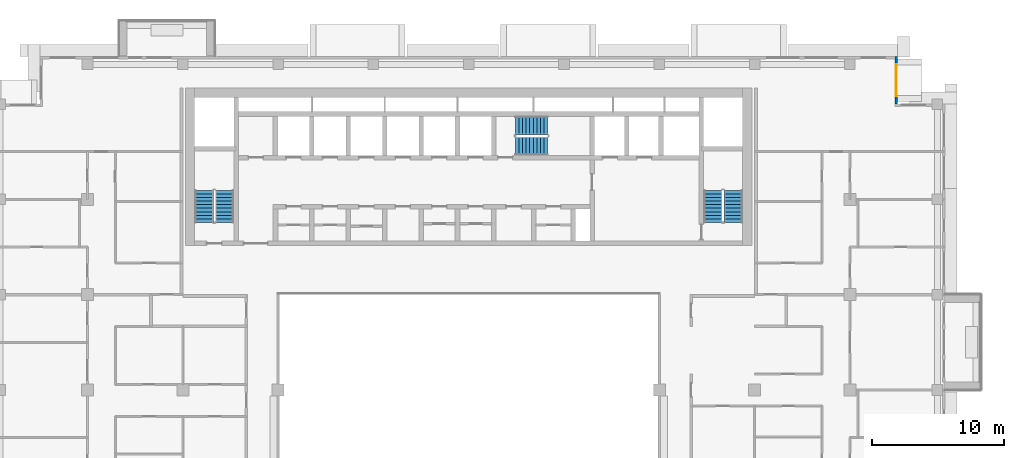
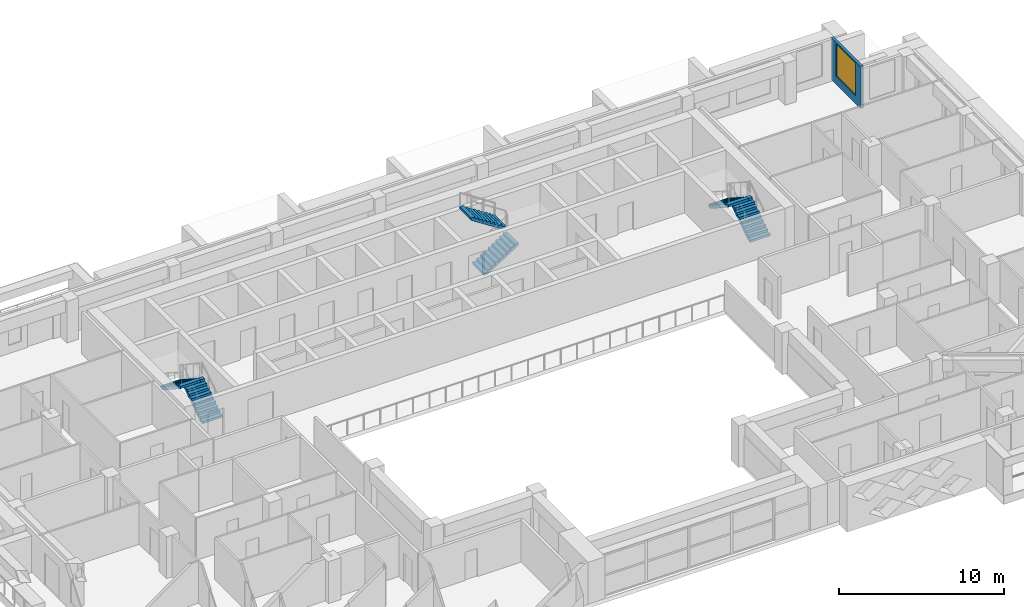
# One storey, part 13 of 20: 6 stair flights, 1 wall, 1 window, 1 opening, 3 elements without a shape of their own.
"""IFC4 building model written with IfcOpenShell, lengths in metres."""

from ifc_helpers import new_model, si_unit, direction, frame, frame_2d, origin, place, context, subcontext, project, spatial, polyline, rectangle, outline, extrude, material, layer, layer_set, type_object, element, fill, aggregate, save


model = new_model("IFC4")

# Units and contexts
model_context = context("Model", 3, precision=1e-05, world=origin(), true_north=direction((0.0, 1.0)))
body_context = subcontext(model_context, "Body", "Model", "MODEL_VIEW")
ifc_project = project(units=[si_unit("LENGTHUNIT", "METRE"), si_unit("AREAUNIT", "SQUARE_METRE"), si_unit("VOLUMEUNIT", "CUBIC_METRE"), si_unit("PLANEANGLEUNIT", "RADIAN"), si_unit("MASSUNIT", "GRAM", prefix="KILO")], contexts=[model_context])

# Site, building, storey
site_placement = place(None, origin())
site = spatial("IfcSite", under=ifc_project, at=site_placement, CompositionType="ELEMENT")
building_placement = place(site_placement, origin())
building = spatial("IfcBuilding", under=site, at=building_placement, Name="Saffron Iwan Residences", CompositionType="ELEMENT")
storey_placement = place(building_placement, frame((0.0, 0.0, 202.5)))
storey = spatial("IfcBuildingStorey", under=building, at=storey_placement, Name="L54", CompositionType="ELEMENT", Elevation=202.5)

# Wall, opening, window
ifc_material_1 = material(Name="Concrete C40/50", Category="concrete")
ifc_layer_1 = layer(ifc_material_1, 0.199951171875)
ifc_layer_set_1 = layer_set([ifc_layer_1], Name="Concrete C40/50")
wall_type = type_object("IfcWallType", Name="EXTERNAL WALL 200", PredefinedType="SOLIDWALL", material=ifc_layer_set_1)
wall_placement = place(storey_placement, frame((82.699951171875, 76.800048828125, 0.0), z_axis=(0.0, 0.0, 1.0), x_axis=(0.0, 1.0, 0.0)))
wall = element("IfcWall", 1, at=wall_placement, inside=storey, type_object=wall_type, Name="External wall L54 F4.0", PredefinedType="SOLIDWALL", context=body_context, shape_type="SweptSolid", body=[
    extrude(rectangle(XDim=3.599853515625, YDim=0.199951171875, at=frame_2d((1.7998046875, 0.0))), origin(), (0.0, 0.0, 1.0), 3.10009765625),
])
opening_placement = place(wall_placement, frame((0.60009765625, 0.0, 0.60009765625)))
opening = element("IfcOpeningElement", 2, at=opening_placement, cuts=wall, Name="Opening W1", PredefinedType="OPENING", context=body_context, shape_type="SweptSolid", body=[
    extrude(rectangle(XDim=2.39990234375, YDim=2.39990234375, at=frame_2d((1.199951171875, 1.199951171875))), frame((0.0, 0.10986328125, 0.0), z_axis=(0.0, -1.0, 0.0), x_axis=(1.0, 0.0, 0.0)), (0.0, 0.0, 1.0), 0.219970703125),
])
ifc_material_2 = material(Name="Clear glass, laminated double glazed", Category="glass")
window_type = type_object("IfcWindowType", Name="WINDOW 2400 x 2400", PartitioningType="DOUBLE_PANEL_VERTICAL", PredefinedType="WINDOW", material=ifc_material_2)
window_placement = place(opening_placement, origin())
window = element("IfcWindow", 3, at=window_placement, inside=storey, type_object=window_type, Name="Window L54 F4.0", OverallHeight=2.39990234375, OverallWidth=2.39990234375, PartitioningType="DOUBLE_PANEL_VERTICAL", PredefinedType="WINDOW", context=body_context, shape_type="SweptSolid", body=[
    extrude(rectangle(XDim=2.39990234375, YDim=2.39990234375, at=frame_2d((1.199951171875, 1.199951171875))), frame((0.0, 0.030029296875, 0.0), z_axis=(0.0, -1.0, 0.0), x_axis=(1.0, 0.0, 0.0)), (0.0, 0.0, 1.0), 0.06005859375),
])
fill(opening, window)

# Stair, stair flights
ifc_material_3 = material(Name="Concrete C50/60", Category="concrete")
stair_type = type_object("IfcStairType", Name="Stair ST-CORE", PredefinedType="HALF_TURN_STAIR", material=ifc_material_3)
stair_1_placement = place(storey_placement, origin())
stair_1 = element("IfcStair", 4, at=stair_1_placement, inside=storey, type_object=stair_type, Name="L54 Exit Stair ST-W", PredefinedType="HALF_TURN_STAIR")
ifc_layer_2 = layer(ifc_material_3, 0.14990234375)
ifc_layer_set_2 = layer_set([ifc_layer_2], Name="Concrete C50/60")
stair_flight_type = type_object("IfcStairFlightType", Name="Stair flight SFL-RC", PredefinedType="STRAIGHT", material=ifc_layer_set_2)
stair_flight_1_placement = place(storey_placement, frame((31.949951171875, 67.85009765625, 0.0), z_axis=(0.0, 0.0, 1.0), x_axis=(0.0, 1.0, 0.0)))
stair_flight_1 = element("IfcStairFlight", 5, at=stair_flight_1_placement, type_object=stair_flight_type, Name="ST-W flight 1", NumberOfRisers=10, NumberOfTreads=9, PredefinedType="STRAIGHT", RiserHeight=0.175, TreadLength=0.27, context=body_context, shape_type="SweptSolid", body=[
    extrude(outline(polyline([(0.0, 0.0), (0.0, 0.175048828125), (0.27001953125, 0.175048828125), (0.27001953125, 0.35009765625), (0.5400390625, 0.35009765625), (0.5400390625, 0.52490234375), (0.81005859375, 0.52490234375), (0.81005859375, 0.699951171875), (1.080078125, 0.699951171875), (1.080078125, 0.875), (1.35009765625, 0.875), (1.35009765625, 1.050048828125), (1.6201171875, 1.050048828125), (1.6201171875, 1.22509765625), (1.889892578125, 1.22509765625), (1.889892578125, 1.39990234375), (2.159912109375, 1.39990234375), (2.159912109375, 1.574951171875), (2.429931640625, 1.574951171875), (2.429931640625, 1.75), (2.429931640625, 1.396484375), (0.275634765625, 0.0), (0.0, 0.0)])), frame((0.0, 0.699951171875, 0.0), z_axis=(0.0, -1.0, 0.0), x_axis=(1.0, 0.0, 0.0)), (0.0, 0.0, 1.0), 1.39990234375),
])
stair_flight_2_placement = place(storey_placement, frame((30.39990234375, 70.280029296875, 1.75), z_axis=(0.0, 0.0, 1.0), x_axis=(0.0, -1.0, 0.0)))
stair_flight_2 = element("IfcStairFlight", 6, at=stair_flight_2_placement, type_object=stair_flight_type, Name="ST-W flight 2", NumberOfRisers=10, NumberOfTreads=9, PredefinedType="STRAIGHT", RiserHeight=0.175, TreadLength=0.27, context=body_context, shape_type="SweptSolid", body=[
    extrude(outline(polyline([(0.0, 0.0), (0.0, 0.175048828125), (0.27001953125, 0.175048828125), (0.27001953125, 0.35009765625), (0.5400390625, 0.35009765625), (0.5400390625, 0.52490234375), (0.81005859375, 0.52490234375), (0.81005859375, 0.699951171875), (1.080078125, 0.699951171875), (1.080078125, 0.875), (1.35009765625, 0.875), (1.35009765625, 1.050048828125), (1.6201171875, 1.050048828125), (1.6201171875, 1.22509765625), (1.889892578125, 1.22509765625), (1.889892578125, 1.39990234375), (2.159912109375, 1.39990234375), (2.159912109375, 1.574951171875), (2.429931640625, 1.574951171875), (2.429931640625, 1.75), (2.429931640625, 1.396484375), (0.275634765625, 0.0), (0.0, 0.0)])), frame((0.0, 0.699951171875, 0.0), z_axis=(0.0, -1.0, 0.0), x_axis=(1.0, 0.0, 0.0)), (0.0, 0.0, 1.0), 1.39990234375),
])
aggregate(stair_1, [stair_flight_1, stair_flight_2])

stair_2_placement = place(storey_placement, origin())
stair_2 = element("IfcStair", 7, at=stair_2_placement, inside=storey, type_object=stair_type, Name="L54 Exit Stair ST-C", PredefinedType="HALF_TURN_STAIR")
stair_flight_3_placement = place(storey_placement, frame((53.925048828125, 73.625, 0.0), z_axis=(0.0, 0.0, 1.0), x_axis=(1.0, 0.0, 0.0)))
stair_flight_3 = element("IfcStairFlight", 8, at=stair_flight_3_placement, type_object=stair_flight_type, Name="ST-C flight 1", NumberOfRisers=10, NumberOfTreads=9, PredefinedType="STRAIGHT", RiserHeight=0.175, TreadLength=0.27, context=body_context, shape_type="SweptSolid", body=[
    extrude(outline(polyline([(0.0, 0.0), (0.0, 0.175048828125), (0.27001953125, 0.175048828125), (0.27001953125, 0.35009765625), (0.5400390625, 0.35009765625), (0.5400390625, 0.52490234375), (0.81005859375, 0.52490234375), (0.81005859375, 0.699951171875), (1.080078125, 0.699951171875), (1.080078125, 0.875), (1.35009765625, 0.875), (1.35009765625, 1.050048828125), (1.6201171875, 1.050048828125), (1.6201171875, 1.22509765625), (1.889892578125, 1.22509765625), (1.889892578125, 1.39990234375), (2.159912109375, 1.39990234375), (2.159912109375, 1.574951171875), (2.429931640625, 1.574951171875), (2.429931640625, 1.75), (2.429931640625, 1.396484375), (0.275634765625, 0.0), (0.0, 0.0)])), frame((0.0, 0.699951171875, 0.0), z_axis=(0.0, -1.0, 0.0), x_axis=(1.0, 0.0, 0.0)), (0.0, 0.0, 1.0), 1.39990234375),
])
stair_flight_4_placement = place(storey_placement, frame((56.35498046875, 75.175048828125, 1.75), z_axis=(0.0, 0.0, 1.0), x_axis=(-1.0, 0.0, 0.0)))
stair_flight_4 = element("IfcStairFlight", 9, at=stair_flight_4_placement, type_object=stair_flight_type, Name="ST-C flight 2", NumberOfRisers=10, NumberOfTreads=9, PredefinedType="STRAIGHT", RiserHeight=0.175, TreadLength=0.27, context=body_context, shape_type="SweptSolid", body=[
    extrude(outline(polyline([(0.0, 0.0), (0.0, 0.175048828125), (0.27001953125, 0.175048828125), (0.27001953125, 0.35009765625), (0.5400390625, 0.35009765625), (0.5400390625, 0.52490234375), (0.81005859375, 0.52490234375), (0.81005859375, 0.699951171875), (1.080078125, 0.699951171875), (1.080078125, 0.875), (1.35009765625, 0.875), (1.35009765625, 1.050048828125), (1.6201171875, 1.050048828125), (1.6201171875, 1.22509765625), (1.889892578125, 1.22509765625), (1.889892578125, 1.39990234375), (2.159912109375, 1.39990234375), (2.159912109375, 1.574951171875), (2.429931640625, 1.574951171875), (2.429931640625, 1.75), (2.429931640625, 1.396484375), (0.275634765625, 0.0), (0.0, 0.0)])), frame((0.0, 0.699951171875, 0.0), z_axis=(0.0, -1.0, 0.0), x_axis=(1.0, 0.0, 0.0)), (0.0, 0.0, 1.0), 1.39990234375),
])
aggregate(stair_2, [stair_flight_3, stair_flight_4])

stair_3_placement = place(storey_placement, origin())
stair_3 = element("IfcStair", 10, at=stair_3_placement, inside=storey, type_object=stair_type, Name="L54 Exit Stair ST-E", PredefinedType="HALF_TURN_STAIR")
stair_flight_5_placement = place(storey_placement, frame((70.39990234375, 67.85009765625, 0.0), z_axis=(0.0, 0.0, 1.0), x_axis=(0.0, 1.0, 0.0)))
stair_flight_5 = element("IfcStairFlight", 11, at=stair_flight_5_placement, type_object=stair_flight_type, Name="ST-E flight 1", NumberOfRisers=10, NumberOfTreads=9, PredefinedType="STRAIGHT", RiserHeight=0.175, TreadLength=0.27, context=body_context, shape_type="SweptSolid", body=[
    extrude(outline(polyline([(0.0, 0.0), (0.0, 0.175048828125), (0.27001953125, 0.175048828125), (0.27001953125, 0.35009765625), (0.5400390625, 0.35009765625), (0.5400390625, 0.52490234375), (0.81005859375, 0.52490234375), (0.81005859375, 0.699951171875), (1.080078125, 0.699951171875), (1.080078125, 0.875), (1.35009765625, 0.875), (1.35009765625, 1.050048828125), (1.6201171875, 1.050048828125), (1.6201171875, 1.22509765625), (1.889892578125, 1.22509765625), (1.889892578125, 1.39990234375), (2.159912109375, 1.39990234375), (2.159912109375, 1.574951171875), (2.429931640625, 1.574951171875), (2.429931640625, 1.75), (2.429931640625, 1.396484375), (0.275634765625, 0.0), (0.0, 0.0)])), frame((0.0, 0.699951171875, 0.0), z_axis=(0.0, -1.0, 0.0), x_axis=(1.0, 0.0, 0.0)), (0.0, 0.0, 1.0), 1.39990234375),
])
stair_flight_6_placement = place(storey_placement, frame((68.85009765625, 70.280029296875, 1.75), z_axis=(0.0, 0.0, 1.0), x_axis=(0.0, -1.0, 0.0)))
stair_flight_6 = element("IfcStairFlight", 12, at=stair_flight_6_placement, type_object=stair_flight_type, Name="ST-E flight 2", NumberOfRisers=10, NumberOfTreads=9, PredefinedType="STRAIGHT", RiserHeight=0.175, TreadLength=0.27, context=body_context, shape_type="SweptSolid", body=[
    extrude(outline(polyline([(0.0, 0.0), (0.0, 0.175048828125), (0.27001953125, 0.175048828125), (0.27001953125, 0.35009765625), (0.5400390625, 0.35009765625), (0.5400390625, 0.52490234375), (0.81005859375, 0.52490234375), (0.81005859375, 0.699951171875), (1.080078125, 0.699951171875), (1.080078125, 0.875), (1.35009765625, 0.875), (1.35009765625, 1.050048828125), (1.6201171875, 1.050048828125), (1.6201171875, 1.22509765625), (1.889892578125, 1.22509765625), (1.889892578125, 1.39990234375), (2.159912109375, 1.39990234375), (2.159912109375, 1.574951171875), (2.429931640625, 1.574951171875), (2.429931640625, 1.75), (2.429931640625, 1.396484375), (0.275634765625, 0.0), (0.0, 0.0)])), frame((0.0, 0.699951171875, 0.0), z_axis=(0.0, -1.0, 0.0), x_axis=(1.0, 0.0, 0.0)), (0.0, 0.0, 1.0), 1.39990234375),
])
aggregate(stair_3, [stair_flight_5, stair_flight_6])

save(model, "model.ifc")
